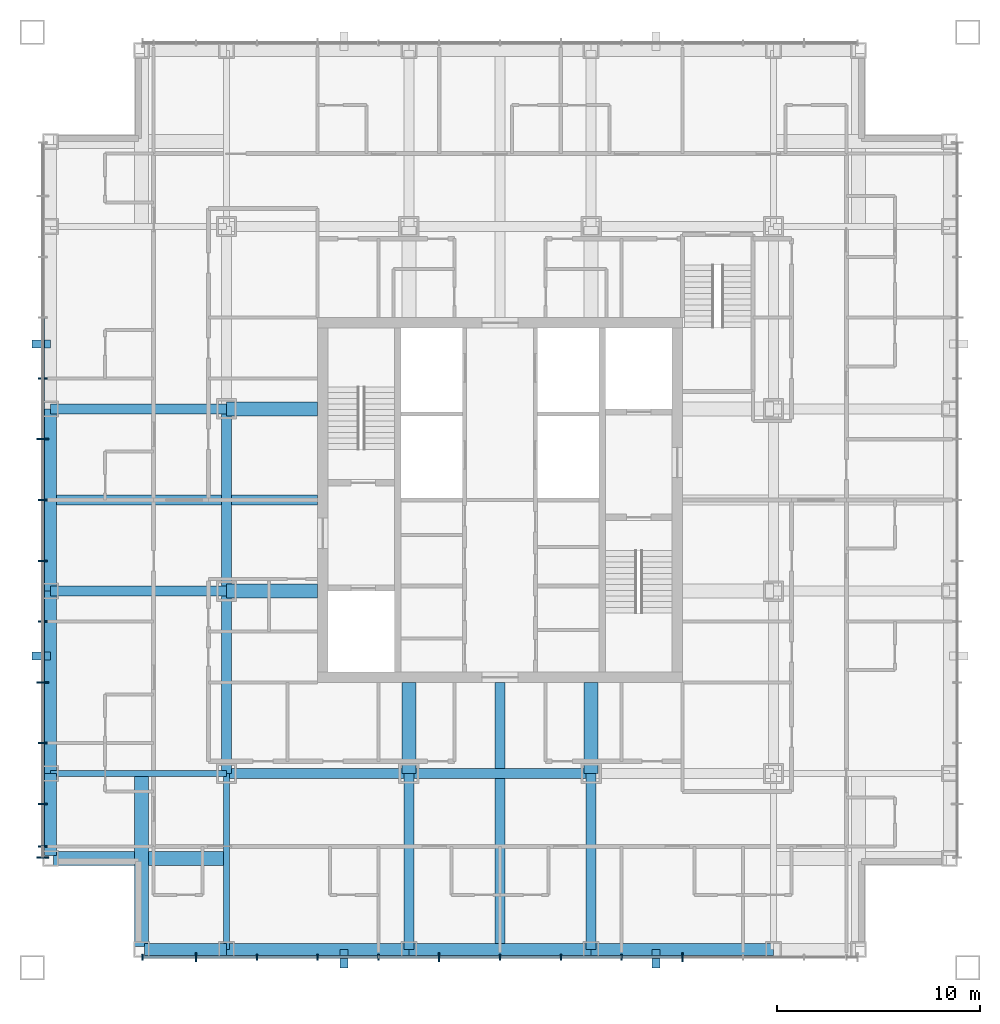
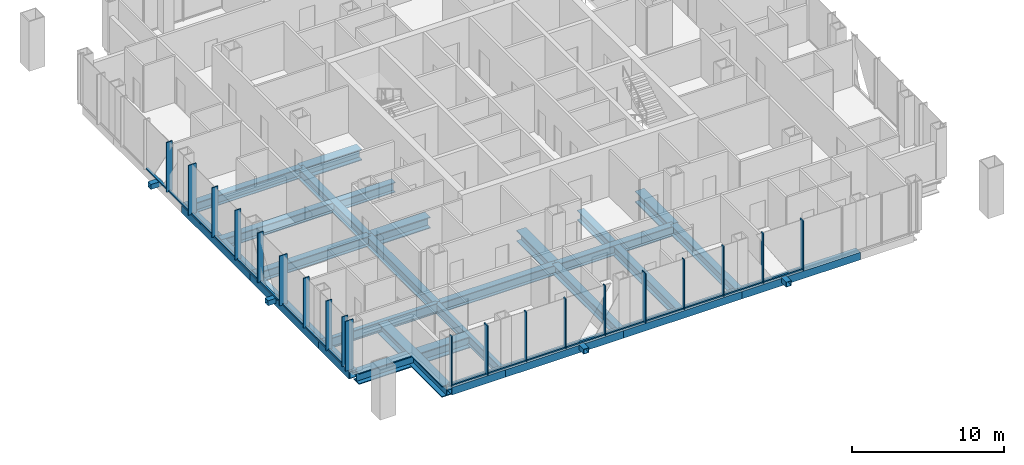
# One storey, part 2 of 20: 42 members, 25 beams, 2 elements without a shape of their own.
"""IFC4 building model written with IfcOpenShell, lengths in metres."""

from ifc_helpers import new_model, si_unit, direction, frame, origin, origin_2d, place, context, subcontext, project, spatial, rectangle, hollow_rectangle, i_section, extrude, material, layer, layer_set, material_profile, profile_set, type_object, element, aggregate, save


model = new_model("IFC4")

# Units and contexts
model_context = context("Model", 3, precision=1e-05, world=origin(), true_north=direction((0.0, 1.0)))
body_context = subcontext(model_context, "Body", "Model", "MODEL_VIEW")
ifc_project = project(units=[si_unit("LENGTHUNIT", "METRE"), si_unit("AREAUNIT", "SQUARE_METRE"), si_unit("VOLUMEUNIT", "CUBIC_METRE"), si_unit("PLANEANGLEUNIT", "RADIAN"), si_unit("MASSUNIT", "GRAM", prefix="KILO")], contexts=[model_context])

# Site, building, storey
site_placement = place(None, origin())
site = spatial("IfcSite", under=ifc_project, at=site_placement, CompositionType="ELEMENT")
building_placement = place(site_placement, origin())
building = spatial("IfcBuilding", under=site, at=building_placement, Name="Malebo Sky Hospital", CompositionType="ELEMENT")
storey_placement = place(building_placement, frame((0.0, 0.0, 233.0)))
storey = spatial("IfcBuildingStorey", under=building, at=storey_placement, Name="L56", CompositionType="ELEMENT", Elevation=233.0)

# Curtain wall, members
ifc_material_1 = material(Name="Anodised aluminium, natural silver", Category="aluminium")
ifc_layer_1 = layer(ifc_material_1, 0.25)
ifc_layer_set_1 = layer_set([ifc_layer_1], Name="WARD CURTAIN WALL EAST AND WEST")
curtain_wall_type_1 = type_object("IfcCurtainWallType", Name="WARD CURTAIN WALL EAST AND WEST", PredefinedType="NOTDEFINED", material=ifc_layer_set_1)
curtain_wall_1_placement = place(storey_placement, origin())
curtain_wall_1 = element("IfcCurtainWall", 1, at=curtain_wall_1_placement, inside=storey, type_object=curtain_wall_type_1, Name="EW curtain wall W", PredefinedType="NOTDEFINED")
ifc_material_profile_1 = material_profile(ifc_material_1, rectangle(XDim=0.14990234375, YDim=0.10009765625, at=origin_2d()), Name="ALUMINIUM TRANSOM 150x100")
ifc_profile_set_1 = profile_set([ifc_material_profile_1], Name="Anodised aluminium, natural silver")
member_type_1 = type_object("IfcMemberType", Name="ALUMINIUM TRANSOM 150x100", PredefinedType="USERDEFINED", material=ifc_profile_set_1)
member_1_placement = place(storey_placement, frame((37.425048828125, 44.9375, 0.050048828125), z_axis=(0.0, 1.0, 0.0), x_axis=(-1.0, 0.0, 0.0)))
member_1 = element("IfcMember", 2, at=member_1_placement, type_object=member_type_1, Name="Transom 2", ObjectType="TRANSOM", PredefinedType="USERDEFINED", context=body_context, shape_type="SweptSolid", body=[
    extrude(rectangle(XDim=0.14990234375, YDim=0.10009765625, at=origin_2d()), origin(), (0.0, 0.0, 1.0), 2.02490234375),
])
member_2_placement = place(storey_placement, frame((37.425048828125, 47.03759765625, 0.050048828125), z_axis=(0.0, 1.0, 0.0), x_axis=(-1.0, 0.0, 0.0)))
member_2 = element("IfcMember", 3, at=member_2_placement, type_object=member_type_1, Name="Transom 3", ObjectType="TRANSOM", PredefinedType="USERDEFINED", context=body_context, shape_type="SweptSolid", body=[
    extrude(rectangle(XDim=0.14990234375, YDim=0.10009765625, at=origin_2d()), origin(), (0.0, 0.0, 1.0), 2.9248046875),
])
member_3_placement = place(storey_placement, frame((37.425048828125, 50.03759765625, 0.050048828125), z_axis=(0.0, 1.0, 0.0), x_axis=(-1.0, 0.0, 0.0)))
member_3 = element("IfcMember", 4, at=member_3_placement, type_object=member_type_1, Name="Transom 4", ObjectType="TRANSOM", PredefinedType="USERDEFINED", context=body_context, shape_type="SweptSolid", body=[
    extrude(rectangle(XDim=0.14990234375, YDim=0.10009765625, at=origin_2d()), origin(), (0.0, 0.0, 1.0), 2.9248046875),
])
member_4_placement = place(storey_placement, frame((37.425048828125, 53.03759765625, 0.050048828125), z_axis=(0.0, 1.0, 0.0), x_axis=(-1.0, 0.0, 0.0)))
member_4 = element("IfcMember", 5, at=member_4_placement, type_object=member_type_1, Name="Transom 5", ObjectType="TRANSOM", PredefinedType="USERDEFINED", context=body_context, shape_type="SweptSolid", body=[
    extrude(rectangle(XDim=0.14990234375, YDim=0.10009765625, at=origin_2d()), origin(), (0.0, 0.0, 1.0), 2.9248046875),
])
member_5_placement = place(storey_placement, frame((37.425048828125, 56.03759765625, 0.050048828125), z_axis=(0.0, 1.0, 0.0), x_axis=(-1.0, 0.0, 0.0)))
member_5 = element("IfcMember", 6, at=member_5_placement, type_object=member_type_1, Name="Transom 6", ObjectType="TRANSOM", PredefinedType="USERDEFINED", context=body_context, shape_type="SweptSolid", body=[
    extrude(rectangle(XDim=0.14990234375, YDim=0.10009765625, at=origin_2d()), origin(), (0.0, 0.0, 1.0), 2.9248046875),
])
member_6_placement = place(storey_placement, frame((37.425048828125, 59.03759765625, 0.050048828125), z_axis=(0.0, 1.0, 0.0), x_axis=(-1.0, 0.0, 0.0)))
member_6 = element("IfcMember", 7, at=member_6_placement, type_object=member_type_1, Name="Transom 7", ObjectType="TRANSOM", PredefinedType="USERDEFINED", context=body_context, shape_type="SweptSolid", body=[
    extrude(rectangle(XDim=0.14990234375, YDim=0.10009765625, at=origin_2d()), origin(), (0.0, 0.0, 1.0), 2.9248046875),
])
member_7_placement = place(storey_placement, frame((37.425048828125, 62.03759765625, 0.050048828125), z_axis=(0.0, 1.0, 0.0), x_axis=(-1.0, 0.0, 0.0)))
member_7 = element("IfcMember", 8, at=member_7_placement, type_object=member_type_1, Name="Transom 8", ObjectType="TRANSOM", PredefinedType="USERDEFINED", context=body_context, shape_type="SweptSolid", body=[
    extrude(rectangle(XDim=0.14990234375, YDim=0.10009765625, at=origin_2d()), origin(), (0.0, 0.0, 1.0), 2.9248046875),
])
member_8_placement = place(storey_placement, frame((37.425048828125, 65.03759765625, 0.050048828125), z_axis=(0.0, 1.0, 0.0), x_axis=(-1.0, 0.0, 0.0)))
member_8 = element("IfcMember", 9, at=member_8_placement, type_object=member_type_1, Name="Transom 9", ObjectType="TRANSOM", PredefinedType="USERDEFINED", context=body_context, shape_type="SweptSolid", body=[
    extrude(rectangle(XDim=0.14990234375, YDim=0.10009765625, at=origin_2d()), origin(), (0.0, 0.0, 1.0), 2.9248046875),
])
member_9_placement = place(storey_placement, frame((37.425048828125, 68.03759765625, 0.050048828125), z_axis=(0.0, 1.0, 0.0), x_axis=(-1.0, 0.0, 0.0)))
member_9 = element("IfcMember", 10, at=member_9_placement, type_object=member_type_1, Name="Transom 10", ObjectType="TRANSOM", PredefinedType="USERDEFINED", context=body_context, shape_type="SweptSolid", body=[
    extrude(rectangle(XDim=0.14990234375, YDim=0.10009765625, at=origin_2d()), origin(), (0.0, 0.0, 1.0), 2.9248046875),
])

ifc_layer_2 = layer(ifc_material_1, 0.25)
ifc_layer_set_2 = layer_set([ifc_layer_2], Name="WARD CURTAIN WALL NORTH AND SOUTH")
curtain_wall_type_2 = type_object("IfcCurtainWallType", Name="WARD CURTAIN WALL NORTH AND SOUTH", PredefinedType="NOTDEFINED", material=ifc_layer_set_2)
curtain_wall_2_placement = place(storey_placement, origin())
curtain_wall_2 = element("IfcCurtainWall", 11, at=curtain_wall_2_placement, inside=storey, type_object=curtain_wall_type_2, Name="NS curtain wall S", PredefinedType="NOTDEFINED")
member_10_placement = place(storey_placement, frame((68.96240234375, 39.425048828125, 0.050048828125), z_axis=(-1.0, 0.0, 0.0), x_axis=(0.0, -1.0, 0.0)))
member_10 = element("IfcMember", 12, at=member_10_placement, type_object=member_type_1, Name="Transom 5", ObjectType="TRANSOM", PredefinedType="USERDEFINED", context=body_context, shape_type="SweptSolid", body=[
    extrude(rectangle(XDim=0.14990234375, YDim=0.10009765625, at=origin_2d()), origin(), (0.0, 0.0, 1.0), 2.9248046875),
])
member_11_placement = place(storey_placement, frame((65.96240234375, 39.425048828125, 0.050048828125), z_axis=(-1.0, 0.0, 0.0), x_axis=(0.0, -1.0, 0.0)))
member_11 = element("IfcMember", 13, at=member_11_placement, type_object=member_type_1, Name="Transom 6", ObjectType="TRANSOM", PredefinedType="USERDEFINED", context=body_context, shape_type="SweptSolid", body=[
    extrude(rectangle(XDim=0.14990234375, YDim=0.10009765625, at=origin_2d()), origin(), (0.0, 0.0, 1.0), 2.9248046875),
])
member_12_placement = place(storey_placement, frame((62.96240234375, 39.425048828125, 0.050048828125), z_axis=(-1.0, 0.0, 0.0), x_axis=(0.0, -1.0, 0.0)))
member_12 = element("IfcMember", 14, at=member_12_placement, type_object=member_type_1, Name="Transom 7", ObjectType="TRANSOM", PredefinedType="USERDEFINED", context=body_context, shape_type="SweptSolid", body=[
    extrude(rectangle(XDim=0.14990234375, YDim=0.10009765625, at=origin_2d()), origin(), (0.0, 0.0, 1.0), 2.9248046875),
])
member_13_placement = place(storey_placement, frame((59.96240234375, 39.425048828125, 0.050048828125), z_axis=(-1.0, 0.0, 0.0), x_axis=(0.0, -1.0, 0.0)))
member_13 = element("IfcMember", 15, at=member_13_placement, type_object=member_type_1, Name="Transom 8", ObjectType="TRANSOM", PredefinedType="USERDEFINED", context=body_context, shape_type="SweptSolid", body=[
    extrude(rectangle(XDim=0.14990234375, YDim=0.10009765625, at=origin_2d()), origin(), (0.0, 0.0, 1.0), 2.9248046875),
])
member_14_placement = place(storey_placement, frame((56.96240234375, 39.425048828125, 0.050048828125), z_axis=(-1.0, 0.0, 0.0), x_axis=(0.0, -1.0, 0.0)))
member_14 = element("IfcMember", 16, at=member_14_placement, type_object=member_type_1, Name="Transom 9", ObjectType="TRANSOM", PredefinedType="USERDEFINED", context=body_context, shape_type="SweptSolid", body=[
    extrude(rectangle(XDim=0.14990234375, YDim=0.10009765625, at=origin_2d()), origin(), (0.0, 0.0, 1.0), 2.9248046875),
])
member_15_placement = place(storey_placement, frame((53.96240234375, 39.425048828125, 0.050048828125), z_axis=(-1.0, 0.0, 0.0), x_axis=(0.0, -1.0, 0.0)))
member_15 = element("IfcMember", 17, at=member_15_placement, type_object=member_type_1, Name="Transom 10", ObjectType="TRANSOM", PredefinedType="USERDEFINED", context=body_context, shape_type="SweptSolid", body=[
    extrude(rectangle(XDim=0.14990234375, YDim=0.10009765625, at=origin_2d()), origin(), (0.0, 0.0, 1.0), 2.9248046875),
])
member_16_placement = place(storey_placement, frame((50.96240234375, 39.425048828125, 0.050048828125), z_axis=(-1.0, 0.0, 0.0), x_axis=(0.0, -1.0, 0.0)))
member_16 = element("IfcMember", 18, at=member_16_placement, type_object=member_type_1, Name="Transom 11", ObjectType="TRANSOM", PredefinedType="USERDEFINED", context=body_context, shape_type="SweptSolid", body=[
    extrude(rectangle(XDim=0.14990234375, YDim=0.10009765625, at=origin_2d()), origin(), (0.0, 0.0, 1.0), 2.9248046875),
])
member_17_placement = place(storey_placement, frame((47.96240234375, 39.425048828125, 0.050048828125), z_axis=(-1.0, 0.0, 0.0), x_axis=(0.0, -1.0, 0.0)))
member_17 = element("IfcMember", 19, at=member_17_placement, type_object=member_type_1, Name="Transom 12", ObjectType="TRANSOM", PredefinedType="USERDEFINED", context=body_context, shape_type="SweptSolid", body=[
    extrude(rectangle(XDim=0.14990234375, YDim=0.10009765625, at=origin_2d()), origin(), (0.0, 0.0, 1.0), 2.9248046875),
])
member_18_placement = place(storey_placement, frame((44.96240234375, 39.425048828125, 0.050048828125), z_axis=(-1.0, 0.0, 0.0), x_axis=(0.0, -1.0, 0.0)))
member_18 = element("IfcMember", 20, at=member_18_placement, type_object=member_type_1, Name="Transom 13", ObjectType="TRANSOM", PredefinedType="USERDEFINED", context=body_context, shape_type="SweptSolid", body=[
    extrude(rectangle(XDim=0.14990234375, YDim=0.10009765625, at=origin_2d()), origin(), (0.0, 0.0, 1.0), 2.58740234375),
])

# Members
ifc_material_2 = material(Name="Steel S355", Category="steel")
ifc_material_profile_2 = material_profile(ifc_material_2, hollow_rectangle(XDim=0.39990234375, YDim=0.39990234375, WallThickness=0.02001953125, at=origin_2d()), Name="SHS 400x20")
ifc_profile_set_2 = profile_set([ifc_material_profile_2], Name="Steel S355")
member_type_2 = type_object("IfcMemberType", Name="BRACE STRUT SHS 400x20", PredefinedType="STRUT", material=ifc_profile_set_2)
for number, where, z_axis, x_axis, name in (
    (21, (52.300048828125, 38.89990234375, -0.39990234375), (0.0, 1.0, 0.0), (-1.0, 0.0, 0.0), "Brace strut CS1 L56"),
    (22, (67.699951171875, 38.89990234375, -0.39990234375), (0.0, 1.0, 0.0), (-1.0, 0.0, 0.0), "Brace strut CS2 L56"),
    (23, (36.89990234375, 69.699951171875, -0.39990234375), (1.0, 0.0, 0.0), (0.0, 1.0, 0.0), "Brace strut CW1 L56"),
    (24, (36.89990234375, 54.300048828125, -0.39990234375), (1.0, 0.0, 0.0), (0.0, 1.0, 0.0), "Brace strut CW2 L56"),
):
    element("IfcMember", number, at=place(storey_placement, frame(where, z_axis=z_axis, x_axis=x_axis)), inside=storey, type_object=member_type_2, Name=name, PredefinedType="STRUT", context=body_context, shape_type="SweptSolid", body=[
        extrude(hollow_rectangle(XDim=0.39990234375, YDim=0.39990234375, WallThickness=0.02001953125, at=origin_2d()), origin(), (0.0, 0.0, 1.0), 0.900146484375),
    ])

# Member
ifc_material_profile_3 = material_profile(ifc_material_1, rectangle(XDim=0.074951171875, YDim=0.300048828125, at=origin_2d()), Name="CW1 ALUMINIUM FIN MULLION 75x300")
ifc_profile_set_3 = profile_set([ifc_material_profile_3], Name="Anodised aluminium, natural silver")
member_type_3 = type_object("IfcMemberType", Name="CW1 ALUMINIUM FIN MULLION 75x300", PredefinedType="MULLION", material=ifc_profile_set_3)
member_19_placement = place(storey_placement, frame((66.0, 39.425048828125, 0.0), z_axis=(0.0, 0.0, 1.0), x_axis=(-1.0, 0.0, 0.0)))
member_19 = element("IfcMember", 25, at=member_19_placement, type_object=member_type_3, Name="Fin mullion 6", PredefinedType="MULLION", context=body_context, shape_type="SweptSolid", body=[
    extrude(rectangle(XDim=0.074951171875, YDim=0.300048828125, at=origin_2d()), origin(), (0.0, 0.0, 1.0), 4.0),
])

member_20_placement = place(storey_placement, frame((63.0, 39.425048828125, 0.0), z_axis=(0.0, 0.0, 1.0), x_axis=(-1.0, 0.0, 0.0)))
member_20 = element("IfcMember", 26, at=member_20_placement, type_object=member_type_3, Name="Fin mullion 7", PredefinedType="MULLION", context=body_context, shape_type="SweptSolid", body=[
    extrude(rectangle(XDim=0.074951171875, YDim=0.300048828125, at=origin_2d()), origin(), (0.0, 0.0, 1.0), 4.0),
])

member_21_placement = place(storey_placement, frame((60.0, 39.425048828125, 0.0), z_axis=(0.0, 0.0, 1.0), x_axis=(-1.0, 0.0, 0.0)))
member_21 = element("IfcMember", 27, at=member_21_placement, type_object=member_type_3, Name="Fin mullion 8", PredefinedType="MULLION", context=body_context, shape_type="SweptSolid", body=[
    extrude(rectangle(XDim=0.074951171875, YDim=0.300048828125, at=origin_2d()), origin(), (0.0, 0.0, 1.0), 4.0),
])

member_22_placement = place(storey_placement, frame((54.0, 39.425048828125, 0.0), z_axis=(0.0, 0.0, 1.0), x_axis=(-1.0, 0.0, 0.0)))
member_22 = element("IfcMember", 28, at=member_22_placement, type_object=member_type_3, Name="Fin mullion 10", PredefinedType="MULLION", context=body_context, shape_type="SweptSolid", body=[
    extrude(rectangle(XDim=0.074951171875, YDim=0.300048828125, at=origin_2d()), origin(), (0.0, 0.0, 1.0), 4.0),
])

member_23_placement = place(storey_placement, frame((51.0, 39.425048828125, 0.0), z_axis=(0.0, 0.0, 1.0), x_axis=(-1.0, 0.0, 0.0)))
member_23 = element("IfcMember", 29, at=member_23_placement, type_object=member_type_3, Name="Fin mullion 11", PredefinedType="MULLION", context=body_context, shape_type="SweptSolid", body=[
    extrude(rectangle(XDim=0.074951171875, YDim=0.300048828125, at=origin_2d()), origin(), (0.0, 0.0, 1.0), 4.0),
])

member_24_placement = place(storey_placement, frame((48.0, 39.425048828125, 0.0), z_axis=(0.0, 0.0, 1.0), x_axis=(-1.0, 0.0, 0.0)))
member_24 = element("IfcMember", 30, at=member_24_placement, type_object=member_type_3, Name="Fin mullion 12", PredefinedType="MULLION", context=body_context, shape_type="SweptSolid", body=[
    extrude(rectangle(XDim=0.074951171875, YDim=0.300048828125, at=origin_2d()), origin(), (0.0, 0.0, 1.0), 4.0),
])

member_25_placement = place(storey_placement, frame((42.33740234375, 39.425048828125, 0.0), z_axis=(0.0, 0.0, 1.0), x_axis=(-1.0, 0.0, 0.0)))
member_25 = element("IfcMember", 31, at=member_25_placement, type_object=member_type_3, Name="Fin mullion 14", PredefinedType="MULLION", context=body_context, shape_type="SweptSolid", body=[
    extrude(rectangle(XDim=0.074951171875, YDim=0.300048828125, at=origin_2d()), origin(), (0.0, 0.0, 1.0), 4.0),
])

ifc_material_profile_4 = material_profile(ifc_material_1, rectangle(XDim=0.074951171875, YDim=0.449951171875, at=origin_2d()), Name="CW1 ALUMINIUM FIN MULLION 75x450")
ifc_profile_set_4 = profile_set([ifc_material_profile_4], Name="Anodised aluminium, natural silver")
member_type_4 = type_object("IfcMemberType", Name="CW1 ALUMINIUM FIN MULLION 75x450", PredefinedType="MULLION", material=ifc_profile_set_4)
member_26_placement = place(storey_placement, frame((69.0, 39.425048828125, 0.0), z_axis=(0.0, 0.0, 1.0), x_axis=(-1.0, 0.0, 0.0)))
member_26 = element("IfcMember", 32, at=member_26_placement, type_object=member_type_4, Name="Fin mullion 5", PredefinedType="MULLION", context=body_context, shape_type="SweptSolid", body=[
    extrude(rectangle(XDim=0.074951171875, YDim=0.449951171875, at=origin_2d()), origin(), (0.0, 0.0, 1.0), 4.0),
])

member_27_placement = place(storey_placement, frame((57.0, 39.425048828125, 0.0), z_axis=(0.0, 0.0, 1.0), x_axis=(-1.0, 0.0, 0.0)))
member_27 = element("IfcMember", 33, at=member_27_placement, type_object=member_type_4, Name="Fin mullion 9", PredefinedType="MULLION", context=body_context, shape_type="SweptSolid", body=[
    extrude(rectangle(XDim=0.074951171875, YDim=0.449951171875, at=origin_2d()), origin(), (0.0, 0.0, 1.0), 4.0),
])

member_28_placement = place(storey_placement, frame((45.0, 39.425048828125, 0.0), z_axis=(0.0, 0.0, 1.0), x_axis=(-1.0, 0.0, 0.0)))
member_28 = element("IfcMember", 34, at=member_28_placement, type_object=member_type_4, Name="Fin mullion 13", PredefinedType="MULLION", context=body_context, shape_type="SweptSolid", body=[
    extrude(rectangle(XDim=0.074951171875, YDim=0.449951171875, at=origin_2d()), origin(), (0.0, 0.0, 1.0), 4.0),
])

aggregate(curtain_wall_2, [member_26, member_19, member_20, member_21, member_27, member_22, member_23, member_24, member_28, member_25, member_10, member_11, member_12, member_13, member_14, member_15, member_16, member_17, member_18])

ifc_material_profile_5 = material_profile(ifc_material_1, rectangle(XDim=0.074951171875, YDim=0.449951171875, at=origin_2d()), Name="CW2 ALUMINIUM FIN MULLION 75x450")
ifc_profile_set_5 = profile_set([ifc_material_profile_5], Name="Anodised aluminium, natural silver")
member_type_5 = type_object("IfcMemberType", Name="CW2 ALUMINIUM FIN MULLION 75x450", PredefinedType="MULLION", material=ifc_profile_set_5)
member_29_placement = place(storey_placement, frame((37.425048828125, 44.89990234375, 0.0), z_axis=(0.0, 0.0, 1.0), x_axis=(0.0, 1.0, 0.0)))
member_29 = element("IfcMember", 35, at=member_29_placement, type_object=member_type_5, Name="Fin mullion 2", PredefinedType="MULLION", context=body_context, shape_type="SweptSolid", body=[
    extrude(rectangle(XDim=0.074951171875, YDim=0.449951171875, at=origin_2d()), origin(), (0.0, 0.0, 1.0), 4.0),
])

member_30_placement = place(storey_placement, frame((37.425048828125, 47.0, 0.0), z_axis=(0.0, 0.0, 1.0), x_axis=(0.0, 1.0, 0.0)))
member_30 = element("IfcMember", 36, at=member_30_placement, type_object=member_type_5, Name="Fin mullion 3", PredefinedType="MULLION", context=body_context, shape_type="SweptSolid", body=[
    extrude(rectangle(XDim=0.074951171875, YDim=0.449951171875, at=origin_2d()), origin(), (0.0, 0.0, 1.0), 4.0),
])

member_31_placement = place(storey_placement, frame((37.425048828125, 50.0, 0.0), z_axis=(0.0, 0.0, 1.0), x_axis=(0.0, 1.0, 0.0)))
member_31 = element("IfcMember", 37, at=member_31_placement, type_object=member_type_5, Name="Fin mullion 4", PredefinedType="MULLION", context=body_context, shape_type="SweptSolid", body=[
    extrude(rectangle(XDim=0.074951171875, YDim=0.449951171875, at=origin_2d()), origin(), (0.0, 0.0, 1.0), 4.0),
])

member_32_placement = place(storey_placement, frame((37.425048828125, 56.0, 0.0), z_axis=(0.0, 0.0, 1.0), x_axis=(0.0, 1.0, 0.0)))
member_32 = element("IfcMember", 38, at=member_32_placement, type_object=member_type_5, Name="Fin mullion 6", PredefinedType="MULLION", context=body_context, shape_type="SweptSolid", body=[
    extrude(rectangle(XDim=0.074951171875, YDim=0.449951171875, at=origin_2d()), origin(), (0.0, 0.0, 1.0), 4.0),
])

member_33_placement = place(storey_placement, frame((37.425048828125, 59.0, 0.0), z_axis=(0.0, 0.0, 1.0), x_axis=(0.0, 1.0, 0.0)))
member_33 = element("IfcMember", 39, at=member_33_placement, type_object=member_type_5, Name="Fin mullion 7", PredefinedType="MULLION", context=body_context, shape_type="SweptSolid", body=[
    extrude(rectangle(XDim=0.074951171875, YDim=0.449951171875, at=origin_2d()), origin(), (0.0, 0.0, 1.0), 4.0),
])

member_34_placement = place(storey_placement, frame((37.425048828125, 62.0, 0.0), z_axis=(0.0, 0.0, 1.0), x_axis=(0.0, 1.0, 0.0)))
member_34 = element("IfcMember", 40, at=member_34_placement, type_object=member_type_5, Name="Fin mullion 8", PredefinedType="MULLION", context=body_context, shape_type="SweptSolid", body=[
    extrude(rectangle(XDim=0.074951171875, YDim=0.449951171875, at=origin_2d()), origin(), (0.0, 0.0, 1.0), 4.0),
])

member_35_placement = place(storey_placement, frame((37.425048828125, 68.0, 0.0), z_axis=(0.0, 0.0, 1.0), x_axis=(0.0, 1.0, 0.0)))
member_35 = element("IfcMember", 41, at=member_35_placement, type_object=member_type_5, Name="Fin mullion 10", PredefinedType="MULLION", context=body_context, shape_type="SweptSolid", body=[
    extrude(rectangle(XDim=0.074951171875, YDim=0.449951171875, at=origin_2d()), origin(), (0.0, 0.0, 1.0), 4.0),
])

ifc_material_profile_6 = material_profile(ifc_material_1, rectangle(XDim=0.074951171875, YDim=0.60009765625, at=origin_2d()), Name="CW2 ALUMINIUM FIN MULLION 75x600")
ifc_profile_set_6 = profile_set([ifc_material_profile_6], Name="Anodised aluminium, natural silver")
member_type_6 = type_object("IfcMemberType", Name="CW2 ALUMINIUM FIN MULLION 75x600", PredefinedType="MULLION", material=ifc_profile_set_6)
member_36_placement = place(storey_placement, frame((37.425048828125, 44.33740234375, 0.0), z_axis=(0.0, 0.0, 1.0), x_axis=(0.0, 1.0, 0.0)))
member_36 = element("IfcMember", 42, at=member_36_placement, type_object=member_type_6, Name="Fin mullion 1", PredefinedType="MULLION", context=body_context, shape_type="SweptSolid", body=[
    extrude(rectangle(XDim=0.074951171875, YDim=0.60009765625, at=origin_2d()), origin(), (0.0, 0.0, 1.0), 4.0),
])

member_37_placement = place(storey_placement, frame((37.425048828125, 53.0, 0.0), z_axis=(0.0, 0.0, 1.0), x_axis=(0.0, 1.0, 0.0)))
member_37 = element("IfcMember", 43, at=member_37_placement, type_object=member_type_6, Name="Fin mullion 5", PredefinedType="MULLION", context=body_context, shape_type="SweptSolid", body=[
    extrude(rectangle(XDim=0.074951171875, YDim=0.60009765625, at=origin_2d()), origin(), (0.0, 0.0, 1.0), 4.0),
])

member_38_placement = place(storey_placement, frame((37.425048828125, 65.0, 0.0), z_axis=(0.0, 0.0, 1.0), x_axis=(0.0, 1.0, 0.0)))
member_38 = element("IfcMember", 44, at=member_38_placement, type_object=member_type_6, Name="Fin mullion 9", PredefinedType="MULLION", context=body_context, shape_type="SweptSolid", body=[
    extrude(rectangle(XDim=0.074951171875, YDim=0.60009765625, at=origin_2d()), origin(), (0.0, 0.0, 1.0), 4.0),
])

aggregate(curtain_wall_1, [member_36, member_29, member_30, member_31, member_37, member_32, member_33, member_34, member_38, member_35, member_1, member_2, member_3, member_4, member_5, member_6, member_7, member_8, member_9])

# Beams
ifc_material_3 = material(Name="Steel S460", Category="steel")
ifc_material_profile_7 = material_profile(ifc_material_3, hollow_rectangle(XDim=0.60009765625, YDim=0.60009765625, WallThickness=0.0400390625, at=origin_2d()), Name="BOX 600x600x40")
ifc_profile_set_7 = profile_set([ifc_material_profile_7], Name="Steel S460")
beam_type_1 = type_object("IfcBeamType", Name="EDGE BEAM BOX 600x600x40", PredefinedType="BEAM", material=ifc_profile_set_7)
beam_1_placement = place(storey_placement, frame((37.800048828125, 44.449951171875, -0.550048828125), z_axis=(0.0, 1.0, 0.0), x_axis=(-1.0, 0.0, 0.0)))
element("IfcBeam", 45, at=beam_1_placement, inside=storey, type_object=beam_type_1, Name="Beam 000 L56", PredefinedType="BEAM", context=body_context, shape_type="SweptSolid", body=[
    extrude(hollow_rectangle(XDim=0.60009765625, YDim=0.60009765625, WallThickness=0.0400390625, at=origin_2d()), origin(), (0.0, 0.0, 1.0), 4.050048828125),
])
for number, where, z_axis, x_axis, name in (
    (46, (37.800048828125, 48.5, -0.550048828125), (0.0, 1.0, 0.0), (-1.0, 0.0, 0.0), "Beam 001 L56"),
    (47, (37.800048828125, 57.5, -0.550048828125), (0.0, 1.0, 0.0), (-1.0, 0.0, 0.0), "Beam 002 L56"),
):
    element("IfcBeam", number, at=place(storey_placement, frame(where, z_axis=z_axis, x_axis=x_axis)), inside=storey, type_object=beam_type_1, Name=name, PredefinedType="BEAM", context=body_context, shape_type="SweptSolid", body=[
        extrude(hollow_rectangle(XDim=0.60009765625, YDim=0.60009765625, WallThickness=0.0400390625, at=origin_2d()), origin(), (0.0, 0.0, 1.0), 9.0),
    ])
beam_2_placement = place(storey_placement, frame((42.449951171875, 39.800048828125, -0.550048828125), z_axis=(1.0, 0.0, 0.0), x_axis=(0.0, 1.0, 0.0)))
element("IfcBeam", 48, at=beam_2_placement, inside=storey, type_object=beam_type_1, Name="Beam 034 L56", PredefinedType="BEAM", context=body_context, shape_type="SweptSolid", body=[
    extrude(hollow_rectangle(XDim=0.60009765625, YDim=0.60009765625, WallThickness=0.0400390625, at=origin_2d()), origin(), (0.0, 0.0, 1.0), 4.050048828125),
])
for number, where, z_axis, x_axis, name in (
    (49, (46.5, 39.800048828125, -0.550048828125), (1.0, 0.0, 0.0), (0.0, 1.0, 0.0), "Beam 035 L56"),
    (50, (55.5, 39.800048828125, -0.550048828125), (1.0, 0.0, 0.0), (0.0, 1.0, 0.0), "Beam 036 L56"),
    (51, (64.5, 39.800048828125, -0.550048828125), (1.0, 0.0, 0.0), (0.0, 1.0, 0.0), "Beam 037 L56"),
):
    element("IfcBeam", number, at=place(storey_placement, frame(where, z_axis=z_axis, x_axis=x_axis)), inside=storey, type_object=beam_type_1, Name=name, PredefinedType="BEAM", context=body_context, shape_type="SweptSolid", body=[
        extrude(hollow_rectangle(XDim=0.60009765625, YDim=0.60009765625, WallThickness=0.0400390625, at=origin_2d()), origin(), (0.0, 0.0, 1.0), 9.0),
    ])
ifc_material_profile_8 = material_profile(ifc_material_2, i_section(OverallWidth=0.5, OverallDepth=0.800048828125, WebThickness=0.030029296875, FlangeThickness=0.050048828125, at=origin_2d()), Name="PG 800x500x30x50")
ifc_profile_set_8 = profile_set([ifc_material_profile_8], Name="Steel S355")
beam_type_2 = type_object("IfcBeamType", Name="FLOOR BEAM PG 800x500x30x50", PredefinedType="BEAM", material=ifc_profile_set_8)
beam_3_placement = place(storey_placement, frame((46.5, 48.5, -0.64990234375), z_axis=(0.0, 1.0, 0.0), x_axis=(-1.0, 0.0, 0.0)))
element("IfcBeam", 52, at=beam_3_placement, inside=storey, type_object=beam_type_2, Name="Beam 008 L56", PredefinedType="BEAM", context=body_context, shape_type="SweptSolid", body=[
    extrude(i_section(OverallWidth=0.5, OverallDepth=0.800048828125, WebThickness=0.030029296875, FlangeThickness=0.050048828125, at=origin_2d()), origin(), (0.0, 0.0, 1.0), 9.0),
])
beam_4_placement = place(storey_placement, frame((55.5, 39.800048828125, -0.64990234375), z_axis=(0.0, 1.0, 0.0), x_axis=(-1.0, 0.0, 0.0)))
element("IfcBeam", 53, at=beam_4_placement, inside=storey, type_object=beam_type_2, Name="Beam 012 L56", PredefinedType="BEAM", context=body_context, shape_type="SweptSolid", body=[
    extrude(i_section(OverallWidth=0.5, OverallDepth=0.800048828125, WebThickness=0.030029296875, FlangeThickness=0.050048828125, at=origin_2d()), origin(), (0.0, 0.0, 1.0), 8.699951171875),
])
beam_5_placement = place(storey_placement, frame((60.0, 39.800048828125, -0.64990234375), z_axis=(0.0, 1.0, 0.0), x_axis=(-1.0, 0.0, 0.0)))
element("IfcBeam", 54, at=beam_5_placement, inside=storey, type_object=beam_type_2, Name="Beam 016 L56", PredefinedType="BEAM", context=body_context, shape_type="SweptSolid", body=[
    extrude(i_section(OverallWidth=0.5, OverallDepth=0.800048828125, WebThickness=0.030029296875, FlangeThickness=0.050048828125, at=origin_2d()), origin(), (0.0, 0.0, 1.0), 13.199951171875),
])
beam_6_placement = place(storey_placement, frame((64.5, 39.800048828125, -0.64990234375), z_axis=(0.0, 1.0, 0.0), x_axis=(-1.0, 0.0, 0.0)))
element("IfcBeam", 55, at=beam_6_placement, inside=storey, type_object=beam_type_2, Name="Beam 018 L56", PredefinedType="BEAM", context=body_context, shape_type="SweptSolid", body=[
    extrude(i_section(OverallWidth=0.5, OverallDepth=0.800048828125, WebThickness=0.030029296875, FlangeThickness=0.050048828125, at=origin_2d()), origin(), (0.0, 0.0, 1.0), 8.699951171875),
])
beam_7_placement = place(storey_placement, frame((46.5, 48.5, -0.64990234375), z_axis=(1.0, 0.0, 0.0), x_axis=(0.0, 1.0, 0.0)))
element("IfcBeam", 56, at=beam_7_placement, inside=storey, type_object=beam_type_2, Name="Beam 042 L56", PredefinedType="BEAM", context=body_context, shape_type="SweptSolid", body=[
    extrude(i_section(OverallWidth=0.5, OverallDepth=0.800048828125, WebThickness=0.030029296875, FlangeThickness=0.050048828125, at=origin_2d()), origin(), (0.0, 0.0, 1.0), 9.0),
])
beam_8_placement = place(storey_placement, frame((37.800048828125, 57.5, -0.64990234375), z_axis=(1.0, 0.0, 0.0), x_axis=(0.0, 1.0, 0.0)))
element("IfcBeam", 57, at=beam_8_placement, inside=storey, type_object=beam_type_2, Name="Beam 046 L56", PredefinedType="BEAM", context=body_context, shape_type="SweptSolid", body=[
    extrude(i_section(OverallWidth=0.5, OverallDepth=0.800048828125, WebThickness=0.030029296875, FlangeThickness=0.050048828125, at=origin_2d()), origin(), (0.0, 0.0, 1.0), 8.699951171875),
])
beam_9_placement = place(storey_placement, frame((37.800048828125, 62.0, -0.64990234375), z_axis=(1.0, 0.0, 0.0), x_axis=(0.0, 1.0, 0.0)))
element("IfcBeam", 58, at=beam_9_placement, inside=storey, type_object=beam_type_2, Name="Beam 050 L56", PredefinedType="BEAM", context=body_context, shape_type="SweptSolid", body=[
    extrude(i_section(OverallWidth=0.5, OverallDepth=0.800048828125, WebThickness=0.030029296875, FlangeThickness=0.050048828125, at=origin_2d()), origin(), (0.0, 0.0, 1.0), 13.199951171875),
])
beam_10_placement = place(storey_placement, frame((37.800048828125, 66.5, -0.64990234375), z_axis=(1.0, 0.0, 0.0), x_axis=(0.0, 1.0, 0.0)))
element("IfcBeam", 59, at=beam_10_placement, inside=storey, type_object=beam_type_2, Name="Beam 052 L56", PredefinedType="BEAM", context=body_context, shape_type="SweptSolid", body=[
    extrude(i_section(OverallWidth=0.5, OverallDepth=0.800048828125, WebThickness=0.030029296875, FlangeThickness=0.050048828125, at=origin_2d()), origin(), (0.0, 0.0, 1.0), 8.699951171875),
])
ifc_material_profile_9 = material_profile(ifc_material_2, i_section(OverallWidth=0.699951171875, OverallDepth=0.89990234375, WebThickness=0.0400390625, FlangeThickness=0.070068359375, at=origin_2d()), Name="PG 900x700x40x70")
ifc_profile_set_9 = profile_set([ifc_material_profile_9], Name="Steel S355")
beam_type_3 = type_object("IfcBeamType", Name="FLOOR BEAM PG 900x700x40x70", PredefinedType="BEAM", material=ifc_profile_set_9)
beam_11_placement = place(storey_placement, frame((42.300048828125, 39.949951171875, -0.699951171875), z_axis=(0.0, 1.0, 0.0), x_axis=(-1.0, 0.0, 0.0)))
element("IfcBeam", 60, at=beam_11_placement, inside=storey, type_object=beam_type_3, Name="Beam 005 L56", PredefinedType="BEAM", context=body_context, shape_type="SweptSolid", body=[
    extrude(i_section(OverallWidth=0.699951171875, OverallDepth=0.89990234375, WebThickness=0.0400390625, FlangeThickness=0.070068359375, at=origin_2d()), origin(), (0.0, 0.0, 1.0), 8.550048828125),
])
for number, where, z_axis, x_axis, name in (
    (61, (55.5, 48.5, -0.699951171875), (0.0, 1.0, 0.0), (-1.0, 0.0, 0.0), "Beam 013 L56"),
    (62, (64.5, 48.5, -0.699951171875), (0.0, 1.0, 0.0), (-1.0, 0.0, 0.0), "Beam 019 L56"),
):
    element("IfcBeam", number, at=place(storey_placement, frame(where, z_axis=z_axis, x_axis=x_axis)), inside=storey, type_object=beam_type_3, Name=name, PredefinedType="BEAM", context=body_context, shape_type="SweptSolid", body=[
        extrude(i_section(OverallWidth=0.699951171875, OverallDepth=0.89990234375, WebThickness=0.0400390625, FlangeThickness=0.070068359375, at=origin_2d()), origin(), (0.0, 0.0, 1.0), 4.5),
    ])
beam_12_placement = place(storey_placement, frame((37.949951171875, 44.300048828125, -0.699951171875), z_axis=(1.0, 0.0, 0.0), x_axis=(0.0, 1.0, 0.0)))
element("IfcBeam", 63, at=beam_12_placement, inside=storey, type_object=beam_type_3, Name="Beam 039 L56", PredefinedType="BEAM", context=body_context, shape_type="SweptSolid", body=[
    extrude(i_section(OverallWidth=0.699951171875, OverallDepth=0.89990234375, WebThickness=0.0400390625, FlangeThickness=0.070068359375, at=origin_2d()), origin(), (0.0, 0.0, 1.0), 8.550048828125),
])
for number, where, z_axis, x_axis, name in (
    (64, (46.5, 57.5, -0.699951171875), (1.0, 0.0, 0.0), (0.0, 1.0, 0.0), "Beam 047 L56"),
    (65, (46.5, 66.5, -0.699951171875), (1.0, 0.0, 0.0), (0.0, 1.0, 0.0), "Beam 053 L56"),
):
    element("IfcBeam", number, at=place(storey_placement, frame(where, z_axis=z_axis, x_axis=x_axis)), inside=storey, type_object=beam_type_3, Name=name, PredefinedType="BEAM", context=body_context, shape_type="SweptSolid", body=[
        extrude(i_section(OverallWidth=0.699951171875, OverallDepth=0.89990234375, WebThickness=0.0400390625, FlangeThickness=0.070068359375, at=origin_2d()), origin(), (0.0, 0.0, 1.0), 4.5),
    ])
ifc_material_profile_10 = material_profile(ifc_material_2, i_section(OverallWidth=0.300048828125, OverallDepth=0.800048828125, WebThickness=0.017578125, FlangeThickness=0.032958984375, FilletRadius=0.030029296875, at=origin_2d()), Name="HEB 800")
ifc_profile_set_10 = profile_set([ifc_material_profile_10], Name="Steel S355")
beam_type_4 = type_object("IfcBeamType", Name="FLOOR GIRDER HEB 800", PredefinedType="BEAM", material=ifc_profile_set_10)
for number, where, z_axis, x_axis, name in (
    (66, (46.5, 39.800048828125, -0.64990234375), (0.0, 1.0, 0.0), (-1.0, 0.0, 0.0), "Beam 007 L56"),
    (67, (37.800048828125, 48.5, -0.64990234375), (1.0, 0.0, 0.0), (0.0, 1.0, 0.0), "Beam 041 L56"),
):
    element("IfcBeam", number, at=place(storey_placement, frame(where, z_axis=z_axis, x_axis=x_axis)), inside=storey, type_object=beam_type_4, Name=name, PredefinedType="BEAM", context=body_context, shape_type="SweptSolid", body=[
        extrude(i_section(OverallWidth=0.300048828125, OverallDepth=0.800048828125, WebThickness=0.017578125, FlangeThickness=0.032958984375, FilletRadius=0.030029296875, at=origin_2d()), origin(), (0.0, 0.0, 1.0), 8.699951171875),
    ])
ifc_material_profile_11 = material_profile(ifc_material_2, i_section(OverallWidth=0.5, OverallDepth=0.800048828125, WebThickness=0.030029296875, FlangeThickness=0.050048828125, at=origin_2d()), Name="PG 800x500x30x50")
ifc_profile_set_11 = profile_set([ifc_material_profile_11], Name="Steel S355")
beam_type_5 = type_object("IfcBeamType", Name="RING GIRDER PG 800x500x30x50", PredefinedType="BEAM", material=ifc_profile_set_11)
for number, where, z_axis, x_axis, name in (
    (68, (46.5, 57.5, -0.64990234375), (0.0, 1.0, 0.0), (-1.0, 0.0, 0.0), "Beam 009 L56"),
    (69, (55.5, 48.5, -0.64990234375), (1.0, 0.0, 0.0), (0.0, 1.0, 0.0), "Beam 043 L56"),
):
    element("IfcBeam", number, at=place(storey_placement, frame(where, z_axis=z_axis, x_axis=x_axis)), inside=storey, type_object=beam_type_5, Name=name, PredefinedType="BEAM", context=body_context, shape_type="SweptSolid", body=[
        extrude(i_section(OverallWidth=0.5, OverallDepth=0.800048828125, WebThickness=0.030029296875, FlangeThickness=0.050048828125, at=origin_2d()), origin(), (0.0, 0.0, 1.0), 9.0),
    ])

save(model, "model.ifc")
